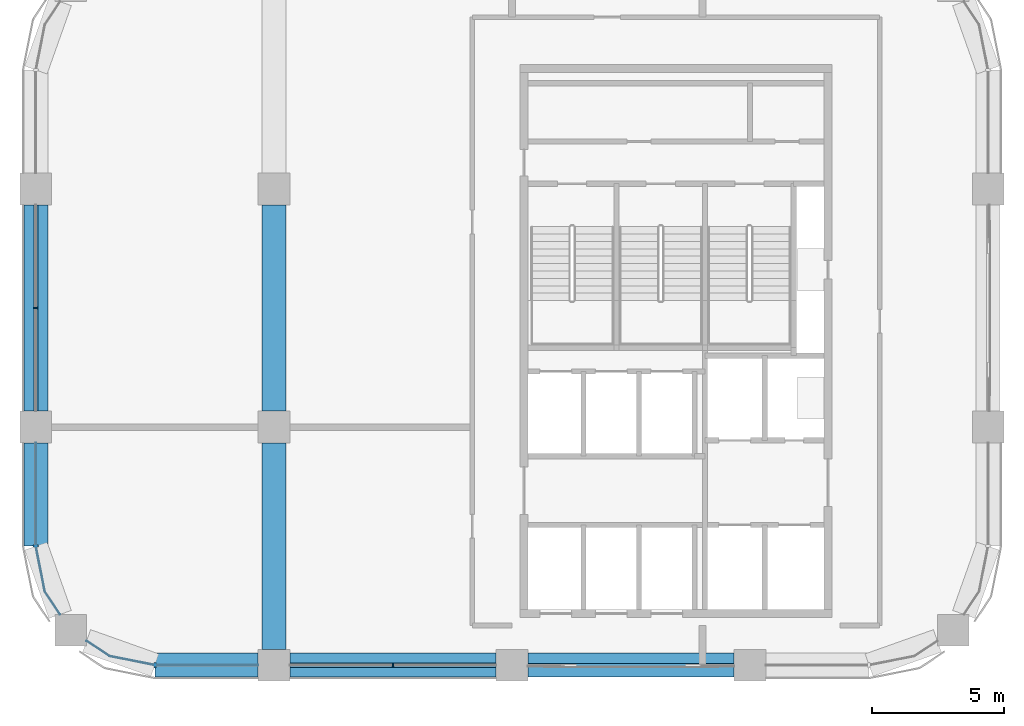
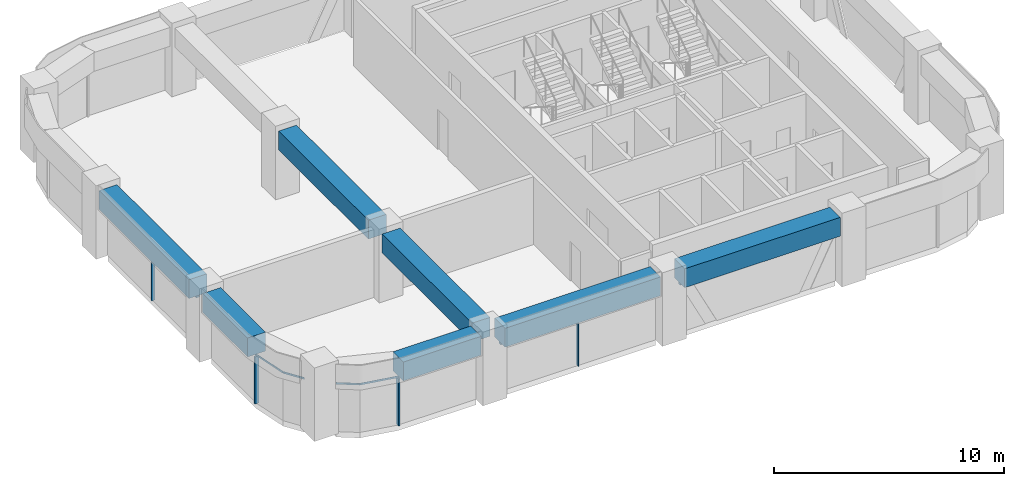
# One storey, part 2 of 9: 9 members, 7 beams, 5 elements without a shape of their own.
"""IFC4 building model written with IfcOpenShell, lengths in metres."""

from ifc_helpers import new_model, si_unit, direction, frame, origin, origin_2d, place, context, subcontext, project, spatial, polyline, rectangle, outline, extrude, material, material_profile, profile_set, type_object, element, aggregate, save


model = new_model("IFC4")

# Units and contexts
model_context = context("Model", 3, precision=1e-05, world=origin(), true_north=direction((0.0, 1.0)))
body_context = subcontext(model_context, "Body", "Model", "MODEL_VIEW")
ifc_project = project(units=[si_unit("LENGTHUNIT", "METRE"), si_unit("AREAUNIT", "SQUARE_METRE"), si_unit("VOLUMEUNIT", "CUBIC_METRE"), si_unit("PLANEANGLEUNIT", "RADIAN"), si_unit("MASSUNIT", "GRAM", prefix="KILO")], contexts=[model_context])

# Site, building, storey
site_placement = place(None, origin())
site = spatial("IfcSite", under=ifc_project, at=site_placement, CompositionType="ELEMENT")
building_placement = place(site_placement, origin())
building = spatial("IfcBuilding", under=site, at=building_placement, Name="Tessera Arch", CompositionType="ELEMENT")
storey_placement = place(building_placement, frame((0.0, 0.0, 312.89990234375)))
storey = spatial("IfcBuildingStorey", under=building, at=storey_placement, Name="L75", CompositionType="ELEMENT", Elevation=312.89990234375)

# Curtain wall, member
ifc_material_1 = material(Name="CW1 curtain wall")
curtain_wall_type_1 = type_object("IfcCurtainWallType", Name="CW1 curtain wall", PredefinedType="NOTDEFINED", material=ifc_material_1)
curtain_wall_1_placement = place(storey_placement, origin())
curtain_wall_1 = element("IfcCurtainWall", 1, at=curtain_wall_1_placement, inside=storey, type_object=curtain_wall_type_1, Name="CW1 curtain wall W18.27/1 L75", PredefinedType="NOTDEFINED")
ifc_material_2 = material(Name="Anodised aluminium pale metal", Category="aluminium")
ifc_material_profile_1 = material_profile(ifc_material_2, rectangle(XDim=0.159912109375, YDim=0.06005859375, at=origin_2d()), Name="AL 60x160")
ifc_profile_set_1 = profile_set([ifc_material_profile_1], Name="Anodised aluminium pale metal")
member_type_1 = type_object("IfcMemberType", Name="CW1 mullion", PredefinedType="MULLION", material=ifc_profile_set_1)
member_1_placement = place(storey_placement, frame((18.0, 40.5, 0.0), z_axis=(0.0, 0.0, 1.0), x_axis=(1.0, 0.0, 0.0)))
member_1 = element("IfcMember", 2, at=member_1_placement, type_object=member_type_1, Name="CW1 mullion W18.27/1 1", PredefinedType="MULLION", context=body_context, shape_type="SweptSolid", body=[
    extrude(rectangle(XDim=0.159912109375, YDim=0.06005859375, at=origin_2d()), origin(), (0.0, 0.0, 1.0), 2.5),
])

curtain_wall_2_placement = place(storey_placement, origin())
curtain_wall_2 = element("IfcCurtainWall", 3, at=curtain_wall_2_placement, inside=storey, type_object=curtain_wall_type_1, Name="CW1 curtain wall S27.18/1 L75", PredefinedType="NOTDEFINED")
member_2_placement = place(storey_placement, frame((31.5, 27.0, 0.0), z_axis=(0.0, 0.0, 1.0), x_axis=(0.0, 1.0, 0.0)))
member_2 = element("IfcMember", 4, at=member_2_placement, type_object=member_type_1, Name="CW1 mullion S27.18/1 1", PredefinedType="MULLION", context=body_context, shape_type="SweptSolid", body=[
    extrude(rectangle(XDim=0.159912109375, YDim=0.06005859375, at=origin_2d()), origin(), (0.0, 0.0, 1.0), 2.5),
])

# Member
ifc_material_3 = material(Name="Anodised aluminium pale metal", Category="aluminium")
ifc_material_profile_2 = material_profile(ifc_material_3, rectangle(XDim=0.159912109375, YDim=0.10009765625, at=origin_2d()), Name="AL 160x100")
ifc_profile_set_2 = profile_set([ifc_material_profile_2], Name="Anodised aluminium pale metal")
member_type_2 = type_object("IfcMemberType", Name="CW1 transom", PredefinedType="USERDEFINED", material=ifc_profile_set_2)
member_3_placement = place(storey_placement, frame((18.0, 44.39990234375, 2.550048828125), z_axis=(0.0, -1.0, 0.0), x_axis=(1.0, 0.0, 0.0)))
member_3 = element("IfcMember", 5, at=member_3_placement, type_object=member_type_2, Name="CW1 transom W18.27/1 1.1", ObjectType="TRANSOM", PredefinedType="USERDEFINED", context=body_context, shape_type="SweptSolid", body=[
    extrude(rectangle(XDim=0.159912109375, YDim=0.10009765625, at=origin_2d()), origin(), (0.0, 0.0, 1.0), 7.7998046875),
])

aggregate(curtain_wall_1, [member_1, member_3])

member_4_placement = place(storey_placement, frame((27.60009765625, 27.0, 2.550048828125), z_axis=(1.0, 0.0, 0.0), x_axis=(0.0, 1.0, 0.0)))
member_4 = element("IfcMember", 6, at=member_4_placement, type_object=member_type_2, Name="CW1 transom S27.18/1 1.1", ObjectType="TRANSOM", PredefinedType="USERDEFINED", context=body_context, shape_type="SweptSolid", body=[
    extrude(rectangle(XDim=0.159912109375, YDim=0.10009765625, at=origin_2d()), origin(), (0.0, 0.0, 1.0), 7.7998046875),
])

aggregate(curtain_wall_2, [member_2, member_4])

# Curtain wall, member
ifc_material_4 = material(Name="CW2 curtain wall")
curtain_wall_type_2 = type_object("IfcCurtainWallType", Name="CW2 curtain wall", PredefinedType="NOTDEFINED", material=ifc_material_4)
curtain_wall_3_placement = place(storey_placement, origin())
curtain_wall_3 = element("IfcCurtainWall", 7, at=curtain_wall_3_placement, inside=storey, type_object=curtain_wall_type_2, Name="CW2 curtain wall W18.27/2 L75", PredefinedType="NOTDEFINED")
ifc_material_5 = material(Name="Anodised aluminium pale metal", Category="aluminium")
ifc_material_profile_3 = material_profile(ifc_material_5, rectangle(XDim=0.199951171875, YDim=0.080078125, at=origin_2d()), Name="AL 80x200")
ifc_profile_set_3 = profile_set([ifc_material_profile_3], Name="Anodised aluminium pale metal")
member_type_3 = type_object("IfcMemberType", Name="CW2 mullion", PredefinedType="MULLION", material=ifc_profile_set_3)
member_5_placement = place(storey_placement, frame((18.0, 31.5, 0.0), z_axis=(0.0, 0.0, 1.0), x_axis=(1.0, 0.0, 0.0)))
member_5 = element("IfcMember", 8, at=member_5_placement, type_object=member_type_3, Name="CW2 mullion W18.27/2 1", PredefinedType="MULLION", context=body_context, shape_type="SweptSolid", body=[
    extrude(rectangle(XDim=0.199951171875, YDim=0.080078125, at=origin_2d()), origin(), (0.0, 0.0, 1.0), 2.5),
])

curtain_wall_4_placement = place(storey_placement, origin())
curtain_wall_4 = element("IfcCurtainWall", 9, at=curtain_wall_4_placement, inside=storey, type_object=curtain_wall_type_2, Name="CW2 curtain wall S27.18/0 L75", PredefinedType="NOTDEFINED")
member_6_placement = place(storey_placement, frame((22.5, 27.0, 0.0), z_axis=(0.0, 0.0, 1.0), x_axis=(0.0, 1.0, 0.0)))
member_6 = element("IfcMember", 10, at=member_6_placement, type_object=member_type_3, Name="CW2 mullion S27.18/0 1", PredefinedType="MULLION", context=body_context, shape_type="SweptSolid", body=[
    extrude(rectangle(XDim=0.199951171875, YDim=0.080078125, at=origin_2d()), origin(), (0.0, 0.0, 1.0), 2.5),
])

# Member
ifc_material_6 = material(Name="Anodised aluminium pale metal", Category="aluminium")
ifc_material_profile_4 = material_profile(ifc_material_6, rectangle(XDim=0.199951171875, YDim=0.10009765625, at=origin_2d()), Name="AL 200x100")
ifc_profile_set_4 = profile_set([ifc_material_profile_4], Name="Anodised aluminium pale metal")
member_type_4 = type_object("IfcMemberType", Name="CW2 transom", PredefinedType="USERDEFINED", material=ifc_profile_set_4)
member_7_placement = place(storey_placement, frame((0.0, 0.0, 2.5)))
member_7 = element("IfcMember", 11, at=member_7_placement, type_object=member_type_4, Name="CW2 transom W18.27/2 1", ObjectType="TRANSOM", PredefinedType="USERDEFINED", context=body_context, shape_type="SweptSolid", body=[
    extrude(outline(polyline([(18.010009765625, 31.5009765625), (18.010009765625, 35.39990234375), (17.989990234375, 35.39990234375), (17.989990234375, 31.4990234375), (18.3330078125, 29.77392578125), (18.90869140625, 28.912353515625), (18.92529296875, 28.923583984375), (18.351806640625, 29.78173828125), (18.010009765625, 31.5009765625)])), origin(), (0.0, 0.0, 1.0), 0.10009765625),
])

aggregate(curtain_wall_3, [member_5, member_7])

member_8_placement = place(storey_placement, frame((0.0, 0.0, 2.5)))
member_8 = element("IfcMember", 12, at=member_8_placement, type_object=member_type_4, Name="CW2 transom S27.18/0 1", ObjectType="TRANSOM", PredefinedType="USERDEFINED", context=body_context, shape_type="SweptSolid", body=[
    extrude(outline(polyline([(20.78173828125, 27.351806640625), (19.923583984375, 27.92529296875), (19.912353515625, 27.90869140625), (20.77392578125, 27.3330078125), (22.4990234375, 26.989990234375), (26.39990234375, 26.989990234375), (26.39990234375, 27.010009765625), (22.5009765625, 27.010009765625), (20.78173828125, 27.351806640625)])), origin(), (0.0, 0.0, 1.0), 0.10009765625),
])

aggregate(curtain_wall_4, [member_6, member_8])

# Curtain wall, member
ifc_material_7 = material(Name="CW3 curtain wall")
curtain_wall_type_3 = type_object("IfcCurtainWallType", Name="CW3 curtain wall", PredefinedType="NOTDEFINED", material=ifc_material_7)
curtain_wall_5_placement = place(storey_placement, origin())
curtain_wall_5 = element("IfcCurtainWall", 13, at=curtain_wall_5_placement, inside=storey, type_object=curtain_wall_type_3, Name="CW3 curtain wall S27.18/2 L75", PredefinedType="NOTDEFINED")
ifc_material_8 = material(Name="Anodised aluminium pale metal", Category="aluminium")
ifc_material_profile_5 = material_profile(ifc_material_8, rectangle(XDim=0.139892578125, YDim=0.10009765625, at=origin_2d()), Name="AL 140x100")
ifc_profile_set_5 = profile_set([ifc_material_profile_5], Name="Anodised aluminium pale metal")
member_type_5 = type_object("IfcMemberType", Name="CW3 transom", PredefinedType="USERDEFINED", material=ifc_profile_set_5)
member_9_placement = place(storey_placement, frame((36.60009765625, 27.0, 2.550048828125), z_axis=(1.0, 0.0, 0.0), x_axis=(0.0, 1.0, 0.0)))
member_9 = element("IfcMember", 14, at=member_9_placement, type_object=member_type_5, Name="CW3 transom S27.18/2 1.1", ObjectType="TRANSOM", PredefinedType="USERDEFINED", context=body_context, shape_type="SweptSolid", body=[
    extrude(rectangle(XDim=0.139892578125, YDim=0.10009765625, at=origin_2d()), origin(), (0.0, 0.0, 1.0), 7.7998046875),
])
aggregate(curtain_wall_5, [member_9])

# Beams
ifc_material_9 = material(Name="Concrete C60/75", Category="concrete")
ifc_material_profile_6 = material_profile(ifc_material_9, rectangle(XDim=0.89990234375, YDim=1.0, at=origin_2d()), Name="RC spandrel beam 900 x 1000 Concrete C60/75")
ifc_profile_set_6 = profile_set([ifc_material_profile_6], Name="Concrete C60/75")
beam_type = type_object("IfcBeamType", Name="RC spandrel beam 900 x 1000 Concrete C60/75", PredefinedType="BEAM", material=ifc_profile_set_6)
beam_placement = place(storey_placement, frame((18.0, 44.39990234375, 3.10009765625), z_axis=(0.0, -1.0, 0.0), x_axis=(1.0, 0.0, 0.0)))
element("IfcBeam", 15, at=beam_placement, inside=storey, type_object=beam_type, Name="Spandrel beam L75 W18.27/1", PredefinedType="BEAM", context=body_context, shape_type="SweptSolid", body=[
    extrude(rectangle(XDim=0.89990234375, YDim=1.0, at=origin_2d()), origin(), (0.0, 0.0, 1.0), 7.7998046875),
])
for number, where, z_axis, x_axis, name in (
    (16, (18.0, 35.39990234375, 3.10009765625), (0.0, -1.0, 0.0), (1.0, 0.0, 0.0), "Spandrel beam L75 W18.27/2.1"),
    (17, (22.5, 27.0, 3.10009765625), (1.0, 0.0, 0.0), (0.0, 1.0, 0.0), "Spandrel beam L75 S27.18/0.2"),
):
    element("IfcBeam", number, at=place(storey_placement, frame(where, z_axis=z_axis, x_axis=x_axis)), inside=storey, type_object=beam_type, Name=name, PredefinedType="BEAM", context=body_context, shape_type="SweptSolid", body=[
        extrude(rectangle(XDim=0.89990234375, YDim=1.0, at=origin_2d()), origin(), (0.0, 0.0, 1.0), 3.89990234375),
    ])
for number, where, z_axis, x_axis, name in (
    (18, (27.60009765625, 27.0, 3.10009765625), (1.0, 0.0, 0.0), (0.0, 1.0, 0.0), "Spandrel beam L75 S27.18/1"),
    (19, (36.60009765625, 27.0, 3.10009765625), (1.0, 0.0, 0.0), (0.0, 1.0, 0.0), "Spandrel beam L75 S27.18/2"),
    (20, (27.0, 27.60009765625, 3.10009765625), (0.0, 1.0, 0.0), (-1.0, 0.0, 0.0), "Interface beam L75 I0C4D-C4E"),
    (21, (27.0, 36.60009765625, 3.10009765625), (0.0, 1.0, 0.0), (-1.0, 0.0, 0.0), "Interface beam L75 I0C4E-C4F"),
):
    element("IfcBeam", number, at=place(storey_placement, frame(where, z_axis=z_axis, x_axis=x_axis)), inside=storey, type_object=beam_type, Name=name, PredefinedType="BEAM", context=body_context, shape_type="SweptSolid", body=[
        extrude(rectangle(XDim=0.89990234375, YDim=1.0, at=origin_2d()), origin(), (0.0, 0.0, 1.0), 7.7998046875),
    ])

save(model, "model.ifc")
